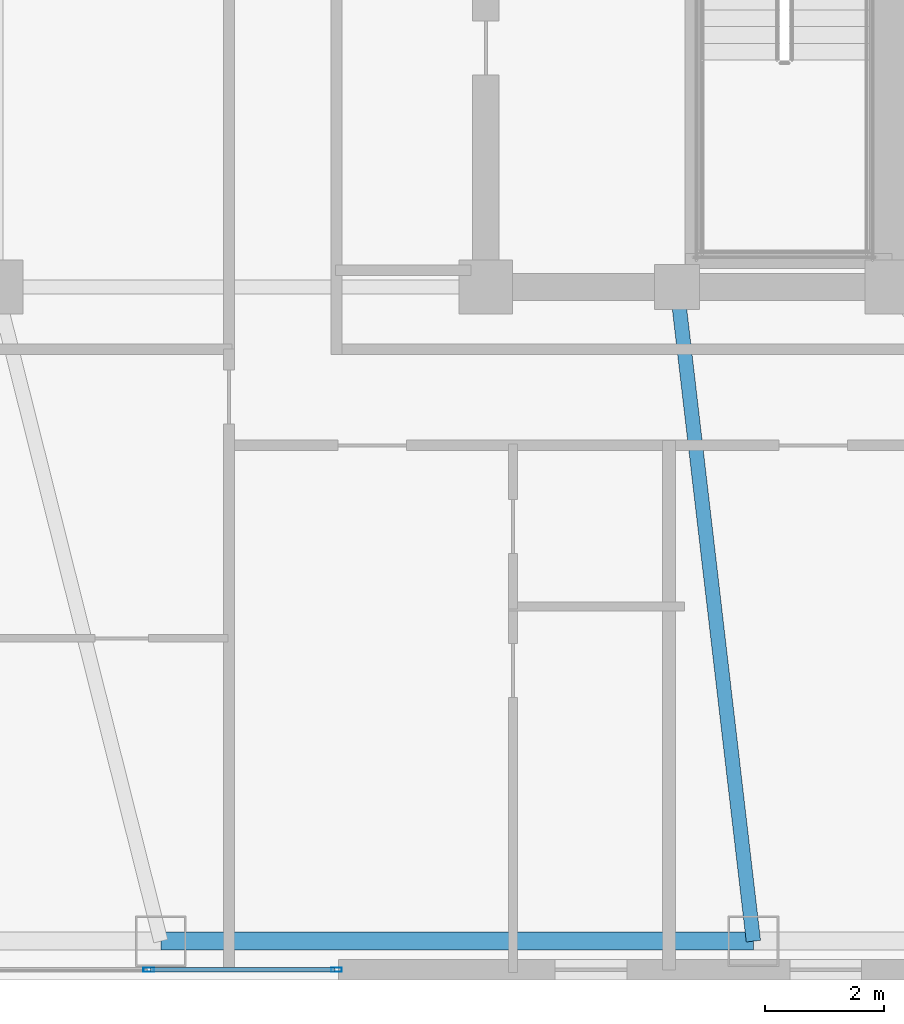
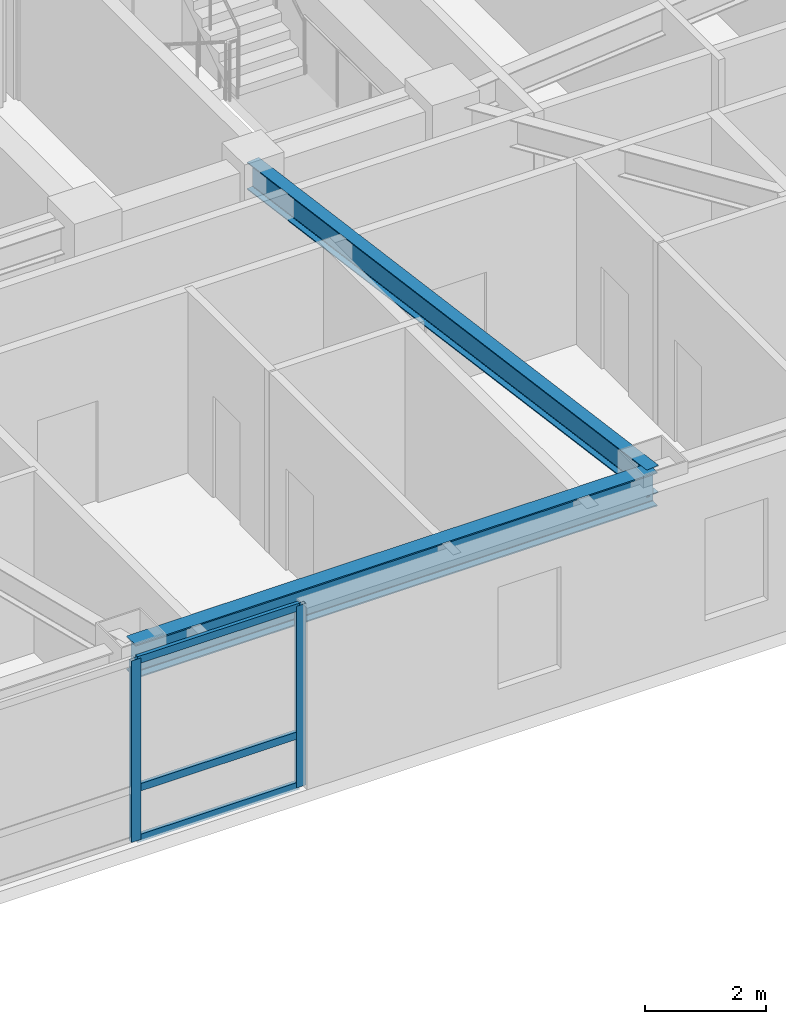
# One storey, part 9 of 29: 5 members, 2 beams, 1 element without a shape of its own.
"""IFC4 building model written with IfcOpenShell, lengths in metres."""

from ifc_helpers import new_model, si_unit, direction, frame, origin, origin_2d, place, context, subcontext, project, spatial, hollow_rectangle, i_section, extrude, material, layer, layer_set, material_profile, profile_set, type_object, element, aggregate, save


model = new_model("IFC4")

# Units and contexts
model_context = context("Model", 3, precision=1e-05, world=origin(), true_north=direction((0.0, 1.0)))
body_context = subcontext(model_context, "Body", "Model", "MODEL_VIEW")
ifc_project = project(units=[si_unit("LENGTHUNIT", "METRE"), si_unit("AREAUNIT", "SQUARE_METRE"), si_unit("VOLUMEUNIT", "CUBIC_METRE"), si_unit("PLANEANGLEUNIT", "RADIAN"), si_unit("MASSUNIT", "GRAM", prefix="KILO")], contexts=[model_context])

# Site, building, storey
site_placement = place(None, origin())
site = spatial("IfcSite", under=ifc_project, at=site_placement, CompositionType="ELEMENT")
building_placement = place(site_placement, origin())
building = spatial("IfcBuilding", under=site, at=building_placement, Name="Voryun Gate Residences", CompositionType="ELEMENT")
storey_placement = place(building_placement, frame((0.0, 0.0, 211.89990234375)))
storey = spatial("IfcBuildingStorey", under=building, at=storey_placement, Name="L52", CompositionType="ELEMENT", Elevation=211.89990234375)

# Beams
ifc_material_1 = material(Name="Steel SM355", Category="steel")
ifc_material_profile_1 = material_profile(ifc_material_1, i_section(OverallWidth=0.300048828125, OverallDepth=0.679931640625, WebThickness=0.013916015625, FlangeThickness=0.02490234375, FilletRadius=0.01806640625, at=origin_2d()), Name="H-680x300x14x25")
ifc_profile_set_1 = profile_set([ifc_material_profile_1], Name="Steel SM355")
beam_type_1 = type_object("IfcBeamType", Name="BM_EXO_SPANDREL_M", PredefinedType="SPANDREL", material=ifc_profile_set_1)
beam_1_placement = place(storey_placement, frame((6.9599609375, -18.35009765625, 3.31005859375), z_axis=(1.0, 0.0, 0.0), x_axis=(0.0, 1.0, 0.0)))
element("IfcBeam", 1, at=beam_1_placement, inside=storey, type_object=beam_type_1, Name="BM-L52-SPAND-04", PredefinedType="SPANDREL", context=body_context, shape_type="SweptSolid", body=[
    extrude(i_section(OverallWidth=0.300048828125, OverallDepth=0.679931640625, WebThickness=0.013916015625, FlangeThickness=0.02490234375, FilletRadius=0.01806640625, at=origin_2d()), origin(), (0.0, 0.0, 1.0), 9.919921875),
])
ifc_material_2 = material(Name="Steel SM355", Category="steel")
ifc_material_profile_2 = material_profile(ifc_material_2, i_section(OverallWidth=0.239990234375, OverallDepth=0.550048828125, WebThickness=0.011962890625, FlangeThickness=0.02001953125, FilletRadius=0.01806640625, at=origin_2d()), Name="H-550x240x12x20")
ifc_profile_set_2 = profile_set([ifc_material_profile_2], Name="Steel SM355")
beam_type_2 = type_object("IfcBeamType", Name="BM_GIRD_550", PredefinedType="USERDEFINED", material=ifc_profile_set_2)
beam_2_placement = place(storey_placement, frame((15.60009765625, -7.39990234375, 3.375), z_axis=(0.116083150214, -0.993239498931, 0.0), x_axis=(0.993239498931, 0.116083150214, 0.0)))
element("IfcBeam", 2, at=beam_2_placement, inside=storey, type_object=beam_type_2, Name="BM-L52-RAD-S5", ObjectType="GIRDER", PredefinedType="USERDEFINED", context=body_context, shape_type="SweptSolid", body=[
    extrude(i_section(OverallWidth=0.239990234375, OverallDepth=0.550048828125, WebThickness=0.011962890625, FlangeThickness=0.02001953125, FilletRadius=0.01806640625, at=origin_2d()), origin(), (0.0, 0.0, 1.0), 11.024658203125),
])

# Curtain wall, members
ifc_material_3 = material(Name="Anodised aluminium", Category="aluminium")
ifc_layer = layer(ifc_material_3, 0.18994140625, Name="CW_SYS_RES_B_DARK_GLASS")
ifc_layer_set = layer_set([ifc_layer], Name="Anodised aluminium")
curtain_wall_type = type_object("IfcCurtainWallType", Name="CW_SYS_RES_B_DARK_GLASS", PredefinedType="NOTDEFINED", material=ifc_layer_set)
curtain_wall_placement = place(storey_placement, origin())
curtain_wall = element("IfcCurtainWall", 3, at=curtain_wall_placement, inside=storey, type_object=curtain_wall_type, Name="Curtain wall CWT-L52-01", PredefinedType="NOTDEFINED")
ifc_material_4 = material(Name="Anodised aluminium", Category="aluminium")
ifc_material_profile_3 = material_profile(ifc_material_4, hollow_rectangle(XDim=0.070068359375, YDim=0.179931640625, WallThickness=0.00390625, at=origin_2d()), Name="ALU-MULL-180x70x4")
ifc_profile_set_3 = profile_set([ifc_material_profile_3], Name="Anodised aluminium")
member_type_1 = type_object("IfcMemberType", Name="CW_MULL_RES", PredefinedType="MULLION", material=ifc_profile_set_3)
member_1_placement = place(storey_placement, frame((9.900634765625, -18.830078125, 0.0), z_axis=(0.0, 0.0, 1.0), x_axis=(0.0, -1.0, 0.0)))
member_1 = element("IfcMember", 4, at=member_1_placement, type_object=member_type_1, Name="CW4 mullion 1", PredefinedType="MULLION", context=body_context, shape_type="SweptSolid", body=[
    extrude(hollow_rectangle(XDim=0.070068359375, YDim=0.179931640625, WallThickness=0.00390625, at=origin_2d()), origin(), (0.0, 0.0, 1.0), 3.650146484375),
])
member_2_placement = place(storey_placement, frame((6.75830078125, -18.830078125, 0.0), z_axis=(0.0, 0.0, 1.0), x_axis=(0.0, -1.0, 0.0)))
member_2 = element("IfcMember", 5, at=member_2_placement, type_object=member_type_1, Name="CW4 mullion 2", PredefinedType="MULLION", context=body_context, shape_type="SweptSolid", body=[
    extrude(hollow_rectangle(XDim=0.070068359375, YDim=0.179931640625, WallThickness=0.00390625, at=origin_2d()), origin(), (0.0, 0.0, 1.0), 3.650146484375),
])
ifc_material_5 = material(Name="Anodised aluminium", Category="aluminium")
ifc_material_profile_4 = material_profile(ifc_material_5, hollow_rectangle(XDim=0.070068359375, YDim=0.14990234375, WallThickness=0.00390625, at=origin_2d()), Name="ALU-TRAN-150x70x4")
ifc_profile_set_4 = profile_set([ifc_material_profile_4], Name="Anodised aluminium")
member_type_2 = type_object("IfcMemberType", Name="CW_TRAN_RES", PredefinedType="USERDEFINED", material=ifc_profile_set_4)
member_3_placement = place(storey_placement, frame((9.87060546875, -18.830078125, 0.030029296875), z_axis=(-1.0, 0.0, 0.0), x_axis=(0.0, -1.0, 0.0)))
member_3 = element("IfcMember", 6, at=member_3_placement, type_object=member_type_2, Name="CW4 transom 1.1", ObjectType="TRANSOM", PredefinedType="USERDEFINED", context=body_context, shape_type="SweptSolid", body=[
    extrude(hollow_rectangle(XDim=0.070068359375, YDim=0.14990234375, WallThickness=0.00390625, at=origin_2d()), origin(), (0.0, 0.0, 1.0), 3.082275390625),
])
member_4_placement = place(storey_placement, frame((9.87060546875, -18.830078125, 1.050048828125), z_axis=(-1.0, 0.0, 0.0), x_axis=(0.0, -1.0, 0.0)))
member_4 = element("IfcMember", 7, at=member_4_placement, type_object=member_type_2, Name="CW4 transom 1.2", ObjectType="TRANSOM", PredefinedType="USERDEFINED", context=body_context, shape_type="SweptSolid", body=[
    extrude(hollow_rectangle(XDim=0.070068359375, YDim=0.14990234375, WallThickness=0.00390625, at=origin_2d()), origin(), (0.0, 0.0, 1.0), 3.082275390625),
])
member_5_placement = place(storey_placement, frame((9.87060546875, -18.830078125, 3.6201171875), z_axis=(-1.0, 0.0, 0.0), x_axis=(0.0, -1.0, 0.0)))
member_5 = element("IfcMember", 8, at=member_5_placement, type_object=member_type_2, Name="CW4 transom 1.3", ObjectType="TRANSOM", PredefinedType="USERDEFINED", context=body_context, shape_type="SweptSolid", body=[
    extrude(hollow_rectangle(XDim=0.070068359375, YDim=0.14990234375, WallThickness=0.00390625, at=origin_2d()), origin(), (0.0, 0.0, 1.0), 3.082275390625),
])
aggregate(curtain_wall, [member_1, member_2, member_3, member_4, member_5])

save(model, "model.ifc")
